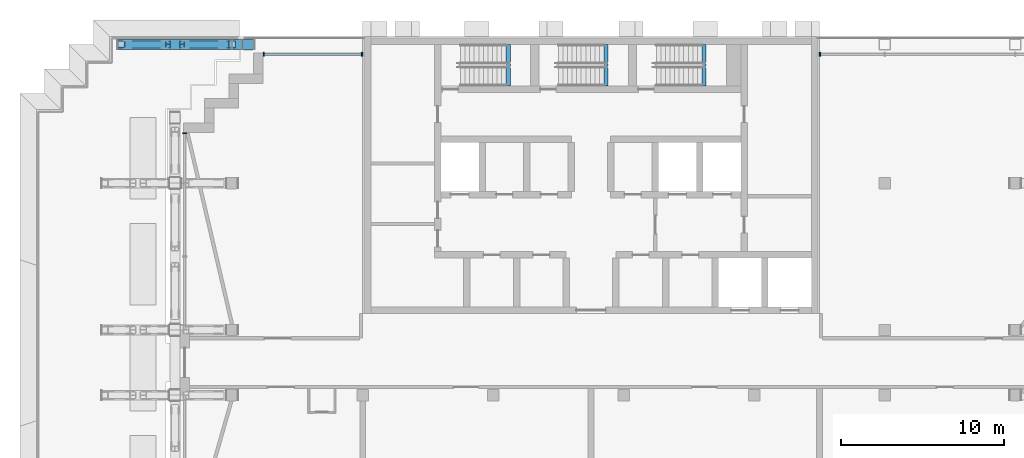
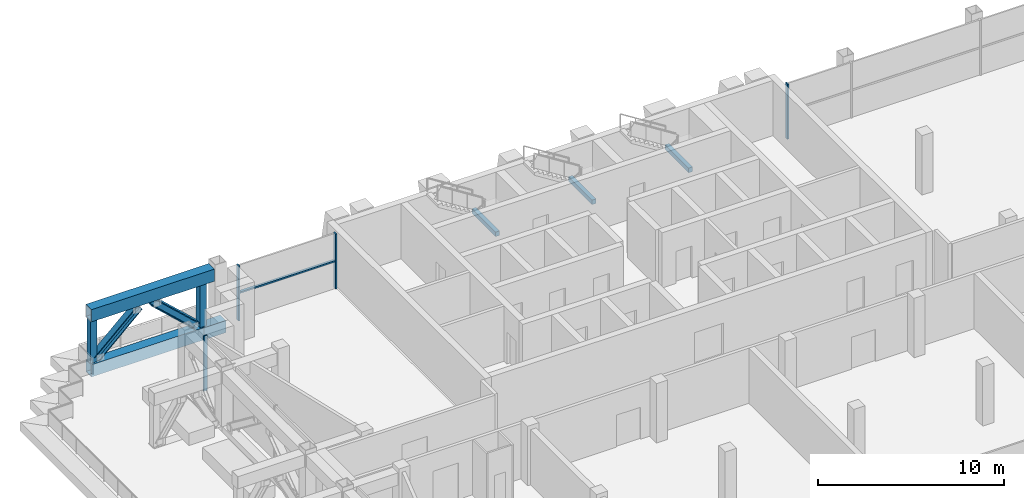
# One storey, part 4 of 21: 12 members, 3 beams, 3 elements without a shape of their own.
"""IFC4 building model written with IfcOpenShell, lengths in metres."""

from ifc_helpers import new_model, si_unit, direction, frame, origin, origin_2d, place, context, subcontext, project, spatial, rectangle, hollow_rectangle, i_section, extrude, material, material_profile, profile_set, type_object, element, aggregate, save


model = new_model("IFC4")

# Units and contexts
model_context = context("Model", 3, precision=1e-05, world=origin(), true_north=direction((0.0, 1.0)))
body_context = subcontext(model_context, "Body", "Model", "MODEL_VIEW")
ifc_project = project(units=[si_unit("LENGTHUNIT", "METRE"), si_unit("AREAUNIT", "SQUARE_METRE"), si_unit("VOLUMEUNIT", "CUBIC_METRE"), si_unit("PLANEANGLEUNIT", "RADIAN"), si_unit("MASSUNIT", "GRAM", prefix="KILO")], contexts=[model_context])

# Site, building, storey
site_placement = place(None, origin())
site = spatial("IfcSite", under=ifc_project, at=site_placement, CompositionType="ELEMENT")
building_placement = place(site_placement, origin())
building = spatial("IfcBuilding", under=site, at=building_placement, Name="Vidyagriha Tower", CompositionType="ELEMENT")
storey_placement = place(building_placement, frame((0.0, 0.0, 161.39990234375)))
storey = spatial("IfcBuildingStorey", under=building, at=storey_placement, Name="L41", CompositionType="ELEMENT", Elevation=161.39990234375)

# Curtain wall, member
ifc_material_1 = material(Name="Aluminium and glass curtain wall", Category="aluminium")
curtain_wall_type = type_object("IfcCurtainWallType", Name="Plant louvre wall", PredefinedType="USERDEFINED", material=ifc_material_1)
curtain_wall_1_placement = place(storey_placement, origin())
curtain_wall_1 = element("IfcCurtainWall", 1, at=curtain_wall_1_placement, inside=storey, type_object=curtain_wall_type, Name="CW7 plant louvre wall", ObjectType="STICK GLAZING", PredefinedType="USERDEFINED")
ifc_material_2 = material(Name="Aluminium black anodised", Category="aluminium")
ifc_material_profile_1 = material_profile(ifc_material_2, rectangle(XDim=0.219970703125, YDim=0.080078125, at=origin_2d()), Name="Mullion 80x220 black aluminium")
ifc_profile_set_1 = profile_set([ifc_material_profile_1], Name="Aluminium black anodised")
member_type_1 = type_object("IfcMemberType", Name="Mullion 80x220 black aluminium", PredefinedType="MULLION", material=ifc_profile_set_1)
member_1_placement = place(storey_placement, frame((14.0400390625, 18.89990234375, 0.0), z_axis=(0.0, 0.0, 1.0), x_axis=(0.0, -1.0, 0.0)))
member_1 = element("IfcMember", 2, at=member_1_placement, type_object=member_type_1, Name="CW7 mullion 4", PredefinedType="MULLION", context=body_context, shape_type="SweptSolid", body=[
    extrude(rectangle(XDim=0.219970703125, YDim=0.080078125, at=origin_2d()), origin(), (0.0, 0.0, 1.0), 3.6201171875),
])
aggregate(curtain_wall_1, [member_1])

# Curtain wall, members
curtain_wall_2_placement = place(storey_placement, origin())
curtain_wall_2 = element("IfcCurtainWall", 3, at=curtain_wall_2_placement, inside=storey, type_object=curtain_wall_type, Name="CW7 plant louvre wall", ObjectType="STICK GLAZING", PredefinedType="USERDEFINED")
member_2_placement = place(storey_placement, frame((-14.0400390625, 18.89990234375, 0.0), z_axis=(0.0, 0.0, 1.0), x_axis=(0.0, -1.0, 0.0)))
member_2 = element("IfcMember", 4, at=member_2_placement, type_object=member_type_1, Name="CW7 mullion 1", PredefinedType="MULLION", context=body_context, shape_type="SweptSolid", body=[
    extrude(rectangle(XDim=0.219970703125, YDim=0.080078125, at=origin_2d()), origin(), (0.0, 0.0, 1.0), 3.6201171875),
])
member_3_placement = place(storey_placement, frame((-20.06005859375, 18.89990234375, 0.0), z_axis=(0.0, 0.0, 1.0), x_axis=(0.0, -1.0, 0.0)))
member_3 = element("IfcMember", 5, at=member_3_placement, type_object=member_type_1, Name="CW7 mullion 2", PredefinedType="MULLION", context=body_context, shape_type="SweptSolid", body=[
    extrude(rectangle(XDim=0.219970703125, YDim=0.080078125, at=origin_2d()), origin(), (0.0, 0.0, 1.0), 3.6201171875),
])

# Curtain wall, member
curtain_wall_3_placement = place(storey_placement, origin())
curtain_wall_3 = element("IfcCurtainWall", 6, at=curtain_wall_3_placement, inside=storey, type_object=curtain_wall_type, Name="CW7 plant louvre wall", ObjectType="STICK GLAZING", PredefinedType="USERDEFINED")
member_4_placement = place(storey_placement, frame((-24.89990234375, 14.06005859375, 0.0)))
member_4 = element("IfcMember", 7, at=member_4_placement, type_object=member_type_1, Name="CW7 mullion 1", PredefinedType="MULLION", context=body_context, shape_type="SweptSolid", body=[
    extrude(rectangle(XDim=0.219970703125, YDim=0.080078125, at=origin_2d()), origin(), (0.0, 0.0, 1.0), 3.6201171875),
])
aggregate(curtain_wall_3, [member_4])

# Beams
ifc_material_3 = material(Name="Concrete C40/50", Category="concrete")
ifc_material_profile_2 = material_profile(ifc_material_3, rectangle(XDim=0.25, YDim=0.300048828125, at=origin_2d()), Name="Stair landing bearing beam 250x300")
ifc_profile_set_2 = profile_set([ifc_material_profile_2], Name="Concrete C40/50")
beam_type = type_object("IfcBeamType", Name="Stair landing bearing beam 250x300", PredefinedType="BEAM", material=ifc_profile_set_2)
for number, where, z_axis, x_axis, name in (
    (8, (-5.074951171875, 16.949951171875, 1.60009765625), (0.0, 1.0, 0.0), (-1.0, 0.0, 0.0), "ST1 landing bearing beam L41"),
    (9, (0.925048828125, 16.949951171875, 1.60009765625), (0.0, 1.0, 0.0), (-1.0, 0.0, 0.0), "ST2 landing bearing beam L41"),
    (10, (6.925048828125, 16.949951171875, 1.60009765625), (0.0, 1.0, 0.0), (-1.0, 0.0, 0.0), "ST3 landing bearing beam L41"),
):
    element("IfcBeam", number, at=place(storey_placement, frame(where, z_axis=z_axis, x_axis=x_axis)), inside=storey, type_object=beam_type, Name=name, PredefinedType="BEAM", context=body_context, shape_type="SweptSolid", body=[
        extrude(rectangle(XDim=0.25, YDim=0.300048828125, at=origin_2d()), origin(), (0.0, 0.0, 1.0), 2.550048828125),
    ])

# Members
ifc_material_4 = material(Name="Steel ASTM A572 Grade 50", Category="steel")
ifc_material_profile_3 = material_profile(ifc_material_4, hollow_rectangle(XDim=0.60009765625, YDim=0.800048828125, WallThickness=0.034912109375, at=origin_2d()), Name="BOX 800x600x35")
ifc_profile_set_3 = profile_set([ifc_material_profile_3], Name="Steel ASTM A572 Grade 50")
member_type_2 = type_object("IfcMemberType", Name="Transfer truss chord BOX 800x600x35", PredefinedType="CHORD", material=ifc_profile_set_3)
member_5_placement = place(storey_placement, frame((-29.0, 19.5, -0.39990234375), z_axis=(1.0, 0.0, 0.0), x_axis=(0.0, 1.0, 0.0)))
element("IfcMember", 11, at=member_5_placement, inside=storey, type_object=member_type_2, Name="st-truss-L41-T09-B00", PredefinedType="CHORD", context=body_context, shape_type="SweptSolid", body=[
    extrude(hollow_rectangle(XDim=0.60009765625, YDim=0.800048828125, WallThickness=0.034912109375, at=origin_2d()), origin(), (0.0, 0.0, 1.0), 6.98046875),
])
member_6_placement = place(storey_placement, frame((-29.0, 19.5, 3.22021484375), z_axis=(1.0, 0.0, 0.0), x_axis=(0.0, 1.0, 0.0)))
element("IfcMember", 12, at=member_6_placement, inside=storey, type_object=member_type_2, Name="st-truss-L41-T09-T00", PredefinedType="CHORD", context=body_context, shape_type="SweptSolid", body=[
    extrude(hollow_rectangle(XDim=0.60009765625, YDim=0.800048828125, WallThickness=0.034912109375, at=origin_2d()), origin(), (0.0, 0.0, 1.0), 7.630615234375),
])
member_7_placement = place(storey_placement, frame((-22.0, 19.5, -0.39990234375), z_axis=(1.0, 0.0, 0.0), x_axis=(0.0, 1.0, 0.0)))
element("IfcMember", 13, at=member_7_placement, inside=storey, type_object=member_type_2, Name="st-truss-L41-T09-B01", PredefinedType="CHORD", context=body_context, shape_type="SweptSolid", body=[
    extrude(hollow_rectangle(XDim=0.60009765625, YDim=0.800048828125, WallThickness=0.034912109375, at=origin_2d()), origin(), (0.0, 0.0, 1.0), 1.35009765625),
])
ifc_material_5 = material(Name="Steel ASTM A913 Grade 65", Category="steel")
ifc_material_profile_4 = material_profile(ifc_material_5, i_section(OverallWidth=0.421630859375, OverallDepth=0.46484375, WebThickness=0.030029296875, FlangeThickness=0.052978515625, at=origin_2d()), Name="W14X398")
ifc_profile_set_4 = profile_set([ifc_material_profile_4], Name="Steel ASTM A913 Grade 65")
member_type_3 = type_object("IfcMemberType", Name="Transfer truss diagonal W14X398", PredefinedType="BRACE", material=ifc_profile_set_4)
for number, where, z_axis, x_axis, name in (
    (14, (-28.615478515625, 19.5, 0.170654296875), (0.734246913104, 0.0, 0.67888251605), (0.0, 1.0, 0.0), "st-truss-L41-T09-D000"),
    (15, (-25.0654296875, 19.5, 2.6494140625), (0.734246913104, 0.0, -0.67888251605), (0.0, 1.0, 0.0), "st-truss-L41-T09-D001"),
):
    element("IfcMember", number, at=place(storey_placement, frame(where, z_axis=z_axis, x_axis=x_axis)), inside=storey, type_object=member_type_3, Name=name, PredefinedType="BRACE", context=body_context, shape_type="SweptSolid", body=[
        extrude(i_section(OverallWidth=0.421630859375, OverallDepth=0.46484375, WebThickness=0.030029296875, FlangeThickness=0.052978515625, at=origin_2d()), origin(), (0.0, 0.0, 1.0), 3.651123046875),
    ])
ifc_material_6 = material(Name="Steel ASTM A500 Grade C", Category="steel")
ifc_material_profile_5 = material_profile(ifc_material_6, hollow_rectangle(XDim=0.406494140625, YDim=0.406494140625, WallThickness=0.017822265625, at=origin_2d()), Name="HSS16X16X3/4")
ifc_profile_set_5 = profile_set([ifc_material_profile_5], Name="Steel ASTM A500 Grade C")
member_type_4 = type_object("IfcMemberType", Name="Transfer truss post HSS16X16X3/4", PredefinedType="POST", material=ifc_profile_set_5)
member_8_placement = place(storey_placement, frame((-28.796875, 19.5, 0.01953125)))
element("IfcMember", 16, at=member_8_placement, inside=storey, type_object=member_type_4, Name="st-truss-L41-T09-P00", PredefinedType="POST", context=body_context, shape_type="SweptSolid", body=[
    extrude(hollow_rectangle(XDim=0.406494140625, YDim=0.406494140625, WallThickness=0.017822265625, at=origin_2d()), origin(), (0.0, 0.0, 1.0), 2.781005859375),
])
member_9_placement = place(storey_placement, frame((-22.0, 19.5, 0.0)))
element("IfcMember", 17, at=member_9_placement, inside=storey, type_object=member_type_4, Name="st-truss-L41-T09-P01", PredefinedType="POST", context=body_context, shape_type="SweptSolid", body=[
    extrude(hollow_rectangle(XDim=0.406494140625, YDim=0.406494140625, WallThickness=0.017822265625, at=origin_2d()), origin(), (0.0, 0.0, 1.0), 2.800537109375),
])

# Member
ifc_material_7 = material(Name="Aluminium black anodised", Category="aluminium")
ifc_material_profile_6 = material_profile(ifc_material_7, rectangle(XDim=0.159912109375, YDim=0.10009765625, at=origin_2d()), Name="Transom 100x160 black aluminium")
ifc_profile_set_6 = profile_set([ifc_material_profile_6], Name="Aluminium black anodised")
member_type_5 = type_object("IfcMemberType", Name="Transom 100x160 black aluminium", PredefinedType="USERDEFINED", material=ifc_profile_set_6)
member_10_placement = place(storey_placement, frame((-14.080078125, 18.89990234375, 1.81005859375), z_axis=(-1.0, 0.0, 0.0), x_axis=(0.0, -1.0, 0.0)))
member_10 = element("IfcMember", 18, at=member_10_placement, type_object=member_type_5, Name="CW7 transom 1.1", ObjectType="TRANSOM", PredefinedType="USERDEFINED", context=body_context, shape_type="SweptSolid", body=[
    extrude(rectangle(XDim=0.159912109375, YDim=0.10009765625, at=origin_2d()), origin(), (0.0, 0.0, 1.0), 5.93994140625),
])

aggregate(curtain_wall_2, [member_2, member_3, member_10])

save(model, "model.ifc")
